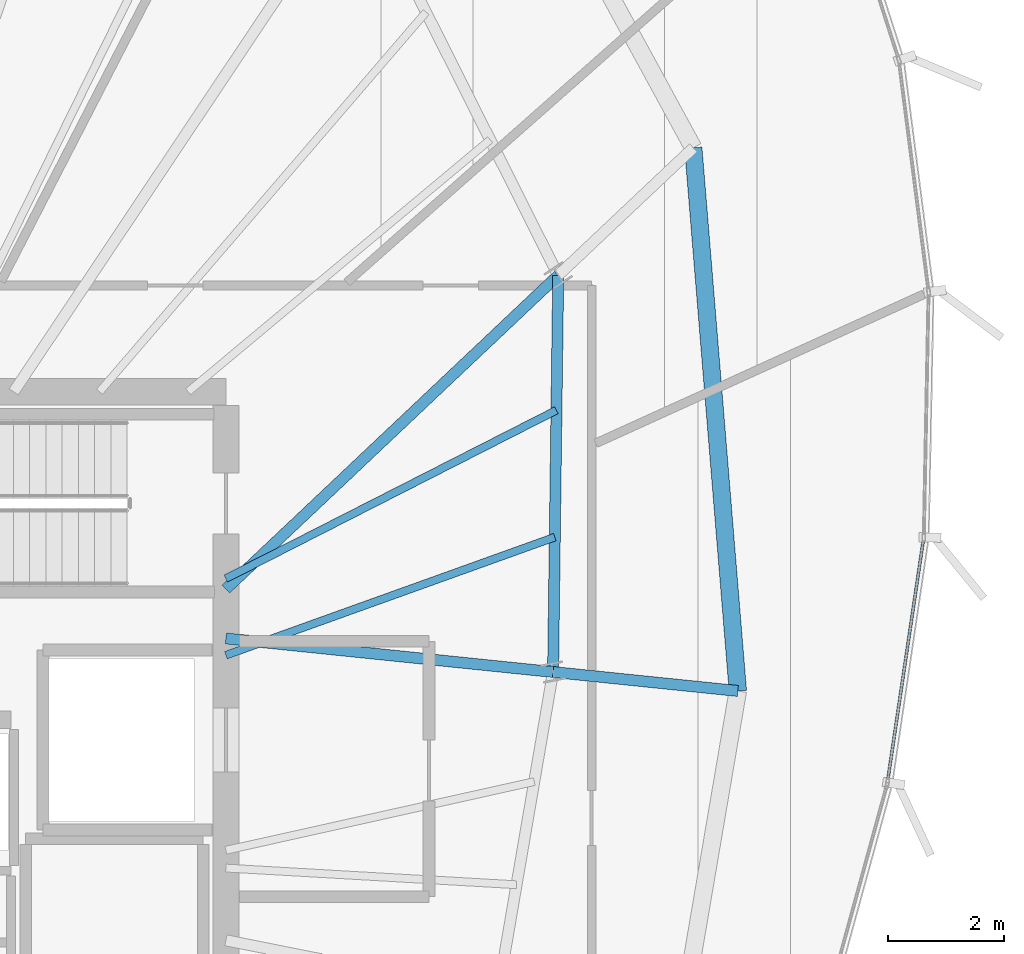
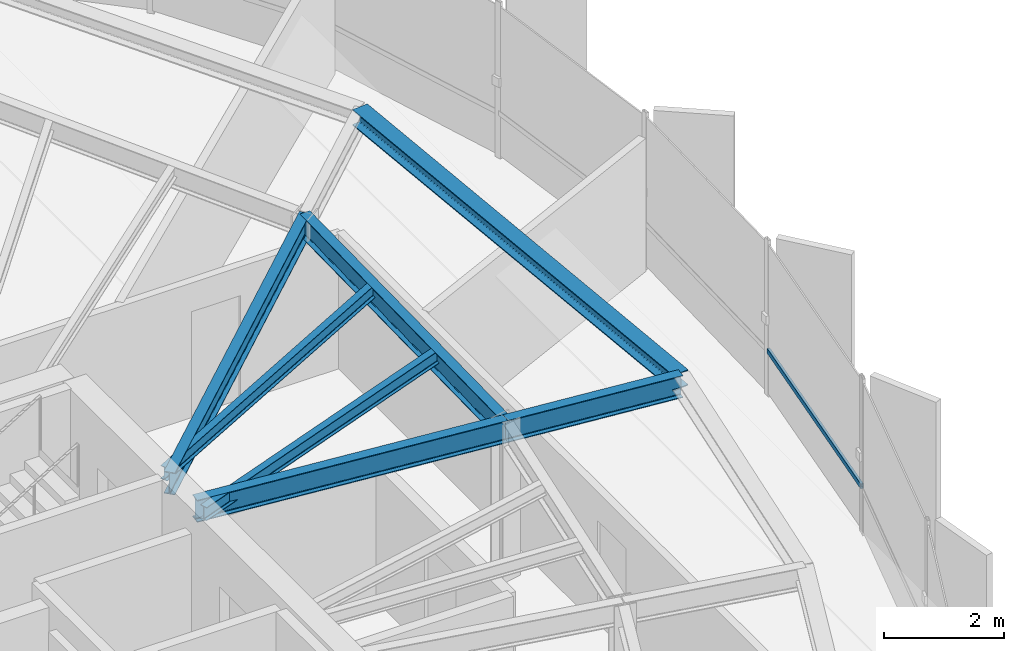
# One storey, part 16 of 34: 7 beams, 1 member, 1 element without a shape of its own.
"""IFC4 building model written with IfcOpenShell, lengths in metres."""

from ifc_helpers import new_model, si_unit, direction, frame, origin, origin_2d, place, context, subcontext, project, spatial, hollow_rectangle, i_section, extrude, source, transform, mapped, material, layer, layer_set, material_profile, profile_set, type_object, element, aggregate, save


model = new_model("IFC4")

# Units and contexts
model_context = context("Model", 3, precision=1e-05, world=origin(), true_north=direction((0.0, 1.0)))
body_context = subcontext(model_context, "Body", "Model", "MODEL_VIEW")
ifc_project = project(units=[si_unit("LENGTHUNIT", "METRE"), si_unit("AREAUNIT", "SQUARE_METRE"), si_unit("VOLUMEUNIT", "CUBIC_METRE"), si_unit("PLANEANGLEUNIT", "RADIAN"), si_unit("MASSUNIT", "GRAM", prefix="KILO"), si_unit("THERMODYNAMICTEMPERATUREUNIT", "KELVIN")], contexts=[model_context])

# Site, building, storey
site_placement = place(None, origin())
site = spatial("IfcSite", under=ifc_project, at=site_placement, CompositionType="ELEMENT")
building_placement = place(site_placement, origin())
building = spatial("IfcBuilding", under=site, at=building_placement, Name="Kethvar Cultural Tower", CompositionType="ELEMENT")
storey_placement = place(building_placement, frame((0.0, 0.0, 259.449951171875)))
storey = spatial("IfcBuildingStorey", under=building, at=storey_placement, Name="L68", CompositionType="ELEMENT", Elevation=259.449951171875)

# Beams
ifc_material_1 = material(Name="Steel S355J2", Category="steel")
ifc_material_profile_1 = material_profile(ifc_material_1, i_section(OverallWidth=0.18994140625, OverallDepth=0.449951171875, WebThickness=0.009521484375, FlangeThickness=0.0146484375, FilletRadius=0.02099609375, at=origin_2d()), Name="Steel S355J2 — IPE450")
ifc_profile_set_1 = profile_set([ifc_material_profile_1], Name="Steel S355J2 — IPE450")
beam_type_1 = type_object("IfcBeamType", Name="BM-IPE450", PredefinedType="BEAM", material=ifc_profile_set_1)
shared_shape_1 = source(origin(), body_context, "Body", "SweptSolid", [
    extrude(i_section(OverallWidth=0.18994140625, OverallDepth=0.449951171875, WebThickness=0.009521484375, FlangeThickness=0.0146484375, FilletRadius=0.02099609375, at=origin_2d()), origin(), (0.0, 0.0, 1.0), 5.66650390625),
])
beam_1_placement = place(storey_placement, frame((55.60009765625, 31.25, 2.983154296875), z_axis=(0.994777513459, -0.102067128476, 0.0), x_axis=(0.102067128476, 0.994777513459, 0.0)))
element("IfcBeam", 1, at=beam_1_placement, inside=storey, type_object=beam_type_1, Name="L68 Primary Radial Beam RB-01", PredefinedType="BEAM", context=body_context, shape_type="MappedRepresentation", body=[
    mapped(shared_shape_1, transform((0.0, 0.0, 0.0), scale=1.0)),
])
shared_shape_2 = source(origin(), body_context, "Body", "SweptSolid", [
    extrude(i_section(OverallWidth=0.18994140625, OverallDepth=0.449951171875, WebThickness=0.009521484375, FlangeThickness=0.0146484375, FilletRadius=0.02099609375, at=origin_2d()), origin(), (0.0, 0.0, 1.0), 3.199951171875),
])
beam_2_placement = place(storey_placement, frame((61.237060546875, 30.671630859375, 2.983154296875), z_axis=(0.994784019447, -0.10200369921, 0.0), x_axis=(0.10200369921, 0.994784019447, 0.0)))
element("IfcBeam", 2, at=beam_2_placement, inside=storey, type_object=beam_type_1, Name="L68 Perimeter Cantilever Beam RC-01", PredefinedType="BEAM", context=body_context, shape_type="MappedRepresentation", body=[
    mapped(shared_shape_2, transform((0.0, 0.0, 0.0), scale=1.0)),
])
shared_shape_3 = source(origin(), body_context, "Body", "SweptSolid", [
    extrude(i_section(OverallWidth=0.18994140625, OverallDepth=0.449951171875, WebThickness=0.009521484375, FlangeThickness=0.0146484375, FilletRadius=0.02099609375, at=origin_2d()), origin(), (0.0, 0.0, 1.0), 7.874267578125),
])
beam_3_placement = place(storey_placement, frame((55.60009765625, 32.10009765625, 2.983154296875), z_axis=(0.727123202456, 0.686506990823, 0.0), x_axis=(-0.686506990823, 0.727123202456, 0.0)))
element("IfcBeam", 3, at=beam_3_placement, inside=storey, type_object=beam_type_1, Name="L68 Primary Radial Beam RB-02", PredefinedType="BEAM", context=body_context, shape_type="MappedRepresentation", body=[
    mapped(shared_shape_3, transform((0.0, 0.0, 0.0), scale=1.0)),
])
shared_shape_4 = source(origin(), body_context, "Body", "SweptSolid", [
    extrude(i_section(OverallWidth=0.18994140625, OverallDepth=0.449951171875, WebThickness=0.009521484375, FlangeThickness=0.0146484375, FilletRadius=0.02099609375, at=origin_2d()), origin(), (0.0, 0.0, 1.0), 6.834716796875),
])
beam_4_placement = place(storey_placement, frame((61.237060546875, 30.671630859375, 2.983154296875), z_axis=(0.012966437445, 0.999915932216, 0.0), x_axis=(-0.999915932216, 0.012966437445, 0.0)))
element("IfcBeam", 4, at=beam_4_placement, inside=storey, type_object=beam_type_1, Name="L68 Column Ring Tie Beam CR-01", PredefinedType="BEAM", context=body_context, shape_type="MappedRepresentation", body=[
    mapped(shared_shape_4, transform((0.0, 0.0, 0.0), scale=1.0)),
])
ifc_material_profile_2 = material_profile(ifc_material_1, i_section(OverallWidth=0.300048828125, OverallDepth=0.320068359375, WebThickness=0.011474609375, FlangeThickness=0.0205078125, FilletRadius=0.027099609375, at=origin_2d()), Name="Steel S355J2 — HEB320")
ifc_profile_set_2 = profile_set([ifc_material_profile_2], Name="Steel S355J2 — HEB320")
beam_type_2 = type_object("IfcBeamType", Name="BM-SP320", PredefinedType="SPANDREL", material=ifc_profile_set_2)
shared_shape_5 = source(origin(), body_context, "Body", "SweptSolid", [
    extrude(i_section(OverallWidth=0.300048828125, OverallDepth=0.320068359375, WebThickness=0.011474609375, FlangeThickness=0.0205078125, FilletRadius=0.027099609375, at=origin_2d()), origin(), (0.0, 0.0, 1.0), 9.388916015625),
])
beam_5_placement = place(storey_placement, frame((64.42041015625, 30.34521484375, 3.048095703125), z_axis=(-0.08178004371, 0.996650402323, 0.0), x_axis=(-0.996650402323, -0.08178004371, 0.0)))
element("IfcBeam", 5, at=beam_5_placement, inside=storey, type_object=beam_type_2, Name="L68 Perimeter Spandrel Beam SP-01", PredefinedType="SPANDREL", context=body_context, shape_type="MappedRepresentation", body=[
    mapped(shared_shape_5, transform((0.0, 0.0, 0.0), scale=1.0)),
])
ifc_material_profile_3 = material_profile(ifc_material_1, i_section(OverallWidth=0.135009765625, OverallDepth=0.27001953125, WebThickness=0.006591796875, FlangeThickness=0.01025390625, FilletRadius=0.014892578125, at=origin_2d()), Name="Steel S355J2 — IPE270")
ifc_profile_set_3 = profile_set([ifc_material_profile_3], Name="Steel S355J2 — IPE270")
beam_type_3 = type_object("IfcBeamType", Name="BM-J270", PredefinedType="JOIST", material=ifc_profile_set_3)
shared_shape_6 = source(origin(), body_context, "Body", "SweptSolid", [
    extrude(i_section(OverallWidth=0.135009765625, OverallDepth=0.27001953125, WebThickness=0.006591796875, FlangeThickness=0.01025390625, FilletRadius=0.014892578125, at=origin_2d()), origin(), (0.0, 0.0, 1.0), 6.021240234375),
])
beam_6_placement = place(storey_placement, frame((55.60009765625, 30.960205078125, 3.072998046875), z_axis=(0.94114970072, 0.337990001086, 0.0), x_axis=(-0.337990001086, 0.94114970072, 0.0)))
element("IfcBeam", 6, at=beam_6_placement, inside=storey, type_object=beam_type_3, Name="L68 Composite Floor Joist J-01A", PredefinedType="JOIST", context=body_context, shape_type="MappedRepresentation", body=[
    mapped(shared_shape_6, transform((0.0, 0.0, 0.0), scale=1.0)),
])
shared_shape_7 = source(origin(), body_context, "Body", "SweptSolid", [
    extrude(i_section(OverallWidth=0.135009765625, OverallDepth=0.27001953125, WebThickness=0.006591796875, FlangeThickness=0.01025390625, FilletRadius=0.014892578125, at=origin_2d()), origin(), (0.0, 0.0, 1.0), 6.3916015625),
])
beam_7_placement = place(storey_placement, frame((55.60009765625, 32.281494140625, 3.072998046875), z_axis=(0.891094874615, 0.453817060538, 0.0), x_axis=(-0.453817060538, 0.891094874615, 0.0)))
element("IfcBeam", 7, at=beam_7_placement, inside=storey, type_object=beam_type_3, Name="L68 Composite Floor Joist J-01B", PredefinedType="JOIST", context=body_context, shape_type="MappedRepresentation", body=[
    mapped(shared_shape_7, transform((0.0, 0.0, 0.0), scale=1.0)),
])

# Curtain wall, member
ifc_material_2 = material(Name="Aluminium 6063-T6", Category="aluminium")
ifc_layer = layer(ifc_material_2, 0.179931640625, Name="Aluminium 6063-T6", Category="aluminium")
ifc_layer_set = layer_set([ifc_layer], Name="Aluminium 6063-T6 (180 mm)")
curtain_wall_type = type_object("IfcCurtainWallType", Name="CW-SYS-05-Z56", PredefinedType="NOTDEFINED", material=ifc_layer_set)
curtain_wall_placement = place(storey_placement, origin())
curtain_wall = element("IfcCurtainWall", 8, at=curtain_wall_placement, inside=storey, type_object=curtain_wall_type, Name="L68 Curtain Wall Run 06", PredefinedType="NOTDEFINED")
ifc_material_profile_4 = material_profile(ifc_material_2, hollow_rectangle(XDim=0.050048828125, YDim=0.10009765625, WallThickness=0.00390625, at=origin_2d()), Name="Aluminium 6063-T6 — RHS100x50x4")
ifc_profile_set_4 = profile_set([ifc_material_profile_4], Name="Aluminium 6063-T6 — RHS100x50x4")
member_type = type_object("IfcMemberType", Name="CW-SYS-05-Z56-TRN", PredefinedType="USERDEFINED", material=ifc_profile_set_4)
shared_shape_8 = source(origin(), body_context, "Body", "SweptSolid", [
    extrude(hollow_rectangle(XDim=0.050048828125, YDim=0.10009765625, WallThickness=0.00390625, at=origin_2d()), origin(), (0.0, 0.0, 1.0), 4.239990234375),
])
member_placement = place(storey_placement, frame((66.997802734375, 28.770751953125, 0.949951171875), z_axis=(0.146538227326, 0.98920500804, 0.0), x_axis=(-0.98920500804, 0.146538227326, 0.0)))
member = element("IfcMember", 9, at=member_placement, type_object=member_type, Name="CW-L68-R06 Transom 1", ObjectType="TRANSOM", PredefinedType="USERDEFINED", context=body_context, shape_type="MappedRepresentation", body=[
    mapped(shared_shape_8, transform((0.0, 0.0, 0.0), scale=1.0)),
])
aggregate(curtain_wall, [member])

save(model, "model.ifc")
